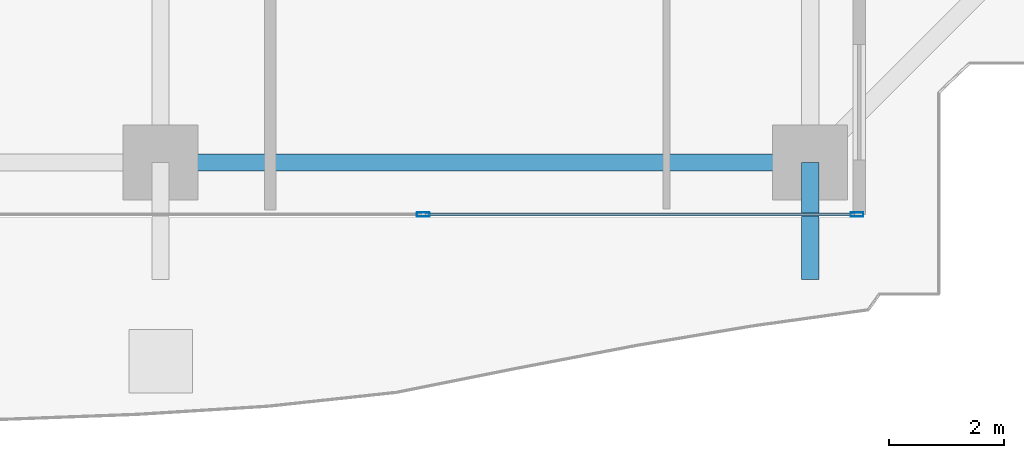
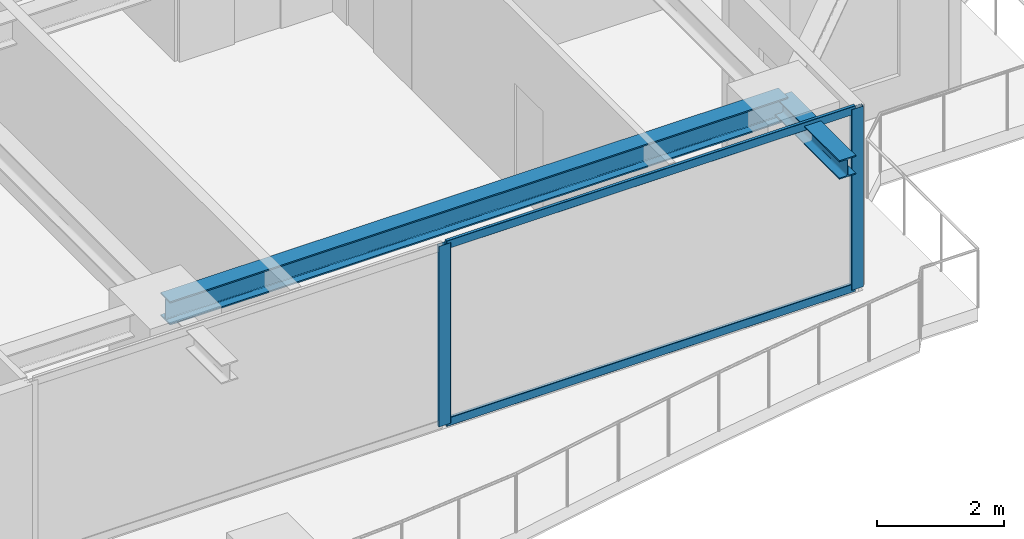
# One storey, part 10 of 35: 4 members, 2 beams, 1 element without a shape of its own.
"""IFC4 building model written with IfcOpenShell, lengths in metres."""

from ifc_helpers import new_model, si_unit, direction, frame, origin, origin_2d, place, context, subcontext, project, spatial, hollow_rectangle, i_section, extrude, source, transform, mapped, material, layer, layer_set, material_profile, profile_set, type_object, element, aggregate, save


model = new_model("IFC4")

# Units and contexts
model_context = context("Model", 3, precision=1e-05, world=origin(), true_north=direction((0.0, 1.0)))
body_context = subcontext(model_context, "Body", "Model", "MODEL_VIEW")
ifc_project = project(units=[si_unit("LENGTHUNIT", "METRE"), si_unit("AREAUNIT", "SQUARE_METRE"), si_unit("VOLUMEUNIT", "CUBIC_METRE"), si_unit("PLANEANGLEUNIT", "RADIAN"), si_unit("MASSUNIT", "GRAM", prefix="KILO")], contexts=[model_context])

# Site, building, storey
site_placement = place(None, origin())
site = spatial("IfcSite", under=ifc_project, at=site_placement, CompositionType="ELEMENT")
building_placement = place(site_placement, origin())
building = spatial("IfcBuilding", under=site, at=building_placement, Name="Serunith Strait Residences", CompositionType="ELEMENT")
storey_placement = place(building_placement, frame((0.0, 0.0, 191.39990234375)))
storey = spatial("IfcBuildingStorey", under=building, at=storey_placement, Name="L48", CompositionType="ELEMENT", Elevation=191.39990234375)

# Beams
ifc_material_1 = material(Name="Steel S355J2", Category="steel")
ifc_material_profile_1 = material_profile(ifc_material_1, i_section(OverallWidth=0.300048828125, OverallDepth=0.449951171875, WebThickness=0.013916015625, FlangeThickness=0.02587890625, FilletRadius=0.027099609375, at=origin_2d()), Name="HEB 450")
ifc_profile_set_1 = profile_set([ifc_material_profile_1], Name="Steel S355J2")
beam_type_1 = type_object("IfcBeamType", Name="BM-HEB450", PredefinedType="BEAM", material=ifc_profile_set_1)
shared_shape_1 = source(origin(), body_context, "Body", "SweptSolid", [
    extrude(i_section(OverallWidth=0.300048828125, OverallDepth=0.449951171875, WebThickness=0.013916015625, FlangeThickness=0.02587890625, FilletRadius=0.027099609375, at=origin_2d()), origin(), (0.0, 0.0, 1.0), 11.25),
])
beam_1_placement = place(storey_placement, frame((36.89990234375, 2.300048828125, 3.26220703125), z_axis=(1.0, 0.0, 0.0), x_axis=(0.0, 1.0, 0.0)))
element("IfcBeam", 1, at=beam_1_placement, inside=storey, type_object=beam_type_1, Name="L48 Perimeter Ring Beam 03", PredefinedType="BEAM", context=body_context, shape_type="MappedRepresentation", body=[
    mapped(shared_shape_1, transform((0.0, 0.0, 0.0), scale=1.0)),
])
ifc_material_profile_2 = material_profile(ifc_material_1, i_section(OverallWidth=0.300048828125, OverallDepth=0.360107421875, WebThickness=0.012451171875, FlangeThickness=0.0224609375, FilletRadius=0.027099609375, at=origin_2d()), Name="HEB 360")
ifc_profile_set_2 = profile_set([ifc_material_profile_2], Name="Steel S355J2")
beam_type_2 = type_object("IfcBeamType", Name="BM-HEB360", PredefinedType="BEAM", material=ifc_profile_set_2)
shared_shape_2 = source(origin(), body_context, "Body", "SweptSolid", [
    extrude(i_section(OverallWidth=0.300048828125, OverallDepth=0.360107421875, WebThickness=0.012451171875, FlangeThickness=0.0224609375, FilletRadius=0.027099609375, at=origin_2d()), origin(), (0.0, 0.0, 1.0), 2.030029296875),
])
beam_2_placement = place(storey_placement, frame((48.14990234375, 2.300048828125, 3.277099609375), z_axis=(0.0, -1.0, 0.0), x_axis=(1.0, 0.0, 0.0)))
element("IfcBeam", 2, at=beam_2_placement, inside=storey, type_object=beam_type_2, Name="L49 Cantilevered Balcony Rib TC-S4", PredefinedType="BEAM", context=body_context, shape_type="MappedRepresentation", body=[
    mapped(shared_shape_2, transform((0.0, 0.0, 0.0), scale=1.0)),
])

# Curtain wall, members
ifc_material_2 = material(Name="Pale-Silver PVDF Aluminium", Category="aluminium")
ifc_layer = layer(ifc_material_2, 0.199951171875, Name="Pale-Silver PVDF Aluminium")
ifc_layer_set = layer_set([ifc_layer], Name="Pale-Silver PVDF Aluminium")
curtain_wall_type = type_object("IfcCurtainWallType", Name="CW-SYS3", PredefinedType="NOTDEFINED", material=ifc_layer_set)
curtain_wall_placement = place(storey_placement, origin())
curtain_wall = element("IfcCurtainWall", 3, at=curtain_wall_placement, inside=storey, type_object=curtain_wall_type, Name="L48 S Unitised Fritted Curtain Wall", PredefinedType="NOTDEFINED")
ifc_material_profile_3 = material_profile(ifc_material_2, hollow_rectangle(XDim=0.074951171875, YDim=0.219970703125, WallThickness=0.00390625, InnerFilletRadius=0.006103515625, OuterFilletRadius=0.010009765625, at=origin_2d()), Name="ALU 220x75x4")
ifc_profile_set_3 = profile_set([ifc_material_profile_3], Name="Pale-Silver PVDF Aluminium")
member_type_1 = type_object("IfcMemberType", Name="CW-SYS3-MULL", PredefinedType="MULLION", material=ifc_profile_set_3)
shared_shape_3 = source(origin(), body_context, "Body", "SweptSolid", [
    extrude(hollow_rectangle(XDim=0.074951171875, YDim=0.219970703125, WallThickness=0.00390625, InnerFilletRadius=0.006103515625, OuterFilletRadius=0.010009765625, at=origin_2d()), origin(), (0.0, 0.0, 1.0), 3.47509765625),
])
member_1_placement = place(storey_placement, frame((41.449951171875, 1.39990234375, 0.0), z_axis=(0.0, 0.0, 1.0), x_axis=(0.0, 1.0, 0.0)))
member_1 = element("IfcMember", 4, at=member_1_placement, type_object=member_type_1, Name="CW-3 mullion 2", PredefinedType="MULLION", context=body_context, shape_type="MappedRepresentation", body=[
    mapped(shared_shape_3, transform((0.0, 0.0, 0.0), scale=1.0)),
])
member_2_placement = place(storey_placement, frame((48.96240234375, 1.39990234375, 0.0), z_axis=(0.0, 0.0, 1.0), x_axis=(0.0, 1.0, 0.0)))
member_2 = element("IfcMember", 5, at=member_2_placement, type_object=member_type_1, Name="CW-3 mullion 3", PredefinedType="MULLION", context=body_context, shape_type="MappedRepresentation", body=[
    mapped(shared_shape_3, transform((0.0, 0.0, 0.0), scale=1.0)),
])
ifc_material_profile_4 = material_profile(ifc_material_2, hollow_rectangle(XDim=0.06005859375, YDim=0.159912109375, WallThickness=0.00341796875, InnerFilletRadius=0.00537109375, OuterFilletRadius=0.0087890625, at=origin_2d()), Name="ALU 160x60x3.5")
ifc_profile_set_4 = profile_set([ifc_material_profile_4], Name="Pale-Silver PVDF Aluminium")
member_type_2 = type_object("IfcMemberType", Name="CW-SYS3-TRAN", PredefinedType="USERDEFINED", material=ifc_profile_set_4)
shared_shape_4 = source(origin(), body_context, "Body", "SweptSolid", [
    extrude(hollow_rectangle(XDim=0.06005859375, YDim=0.159912109375, WallThickness=0.00341796875, InnerFilletRadius=0.00537109375, OuterFilletRadius=0.0087890625, at=origin_2d()), origin(), (0.0, 0.0, 1.0), 7.4375),
])
member_3_placement = place(storey_placement, frame((41.487548828125, 1.39990234375, 0.030029296875), z_axis=(1.0, 0.0, 0.0), x_axis=(0.0, 1.0, 0.0)))
member_3 = element("IfcMember", 6, at=member_3_placement, type_object=member_type_2, Name="CW-3 transom 2.1", ObjectType="TRANSOM", PredefinedType="USERDEFINED", context=body_context, shape_type="MappedRepresentation", body=[
    mapped(shared_shape_4, transform((0.0, 0.0, 0.0), scale=1.0)),
])
member_4_placement = place(storey_placement, frame((41.487548828125, 1.39990234375, 3.445068359375), z_axis=(1.0, 0.0, 0.0), x_axis=(0.0, 1.0, 0.0)))
member_4 = element("IfcMember", 7, at=member_4_placement, type_object=member_type_2, Name="CW-3 transom 2.2", ObjectType="TRANSOM", PredefinedType="USERDEFINED", context=body_context, shape_type="MappedRepresentation", body=[
    mapped(shared_shape_4, transform((0.0, 0.0, 0.0), scale=1.0)),
])
aggregate(curtain_wall, [member_1, member_2, member_3, member_4])

save(model, "model.ifc")
